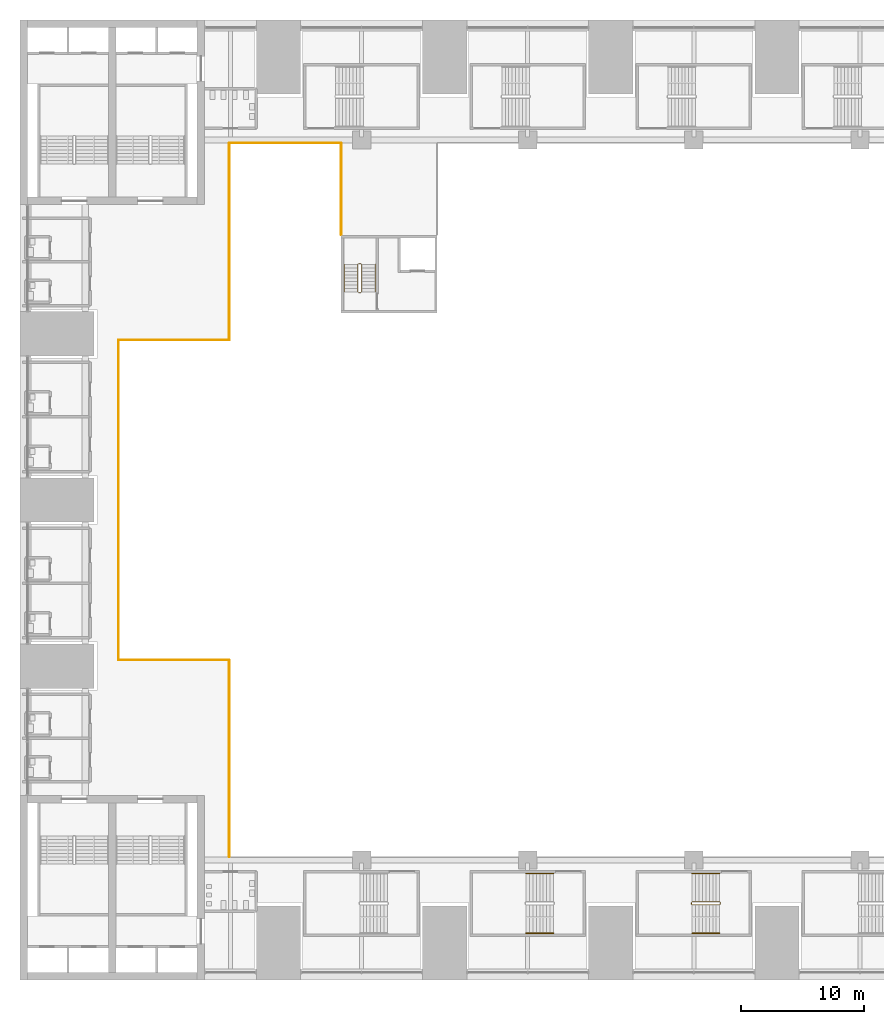
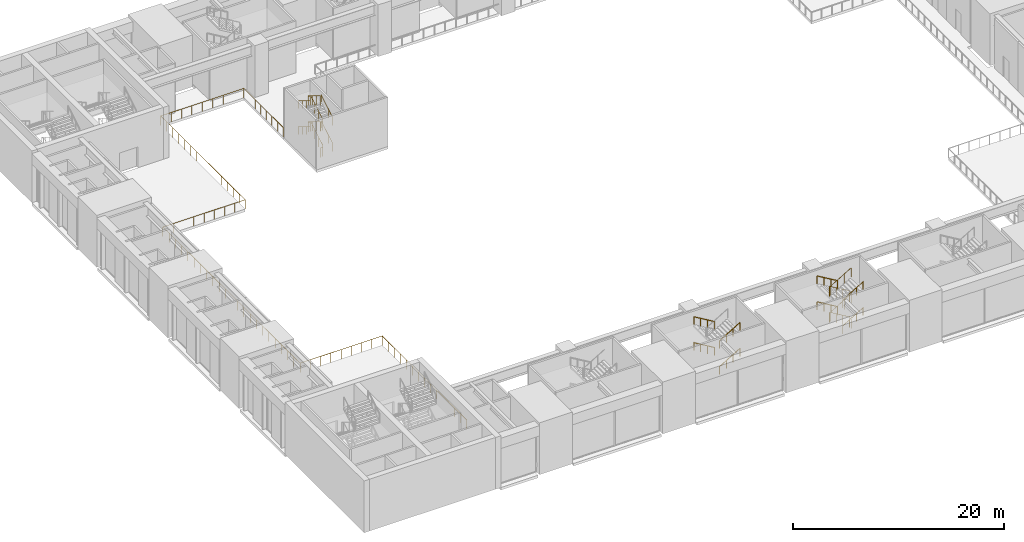
# One storey, part 38 of 43: 5 railings.
"""IFC4 building model written with IfcOpenShell, lengths in metres."""

from ifc_helpers import new_model, si_unit, direction, frame, origin, origin_2d, place, context, subcontext, project, spatial, circle, extrude, material, type_object, element, save


model = new_model("IFC4")

# Units and contexts
model_context = context("Model", 3, precision=1e-05, world=origin(), true_north=direction((0.0, 1.0)))
body_context = subcontext(model_context, "Body", "Model", "MODEL_VIEW")
ifc_project = project(units=[si_unit("LENGTHUNIT", "METRE"), si_unit("AREAUNIT", "SQUARE_METRE"), si_unit("VOLUMEUNIT", "CUBIC_METRE"), si_unit("PLANEANGLEUNIT", "RADIAN"), si_unit("MASSUNIT", "GRAM", prefix="KILO")], contexts=[model_context])

# Site, building, storey
site_placement = place(None, origin())
site = spatial("IfcSite", under=ifc_project, at=site_placement, CompositionType="ELEMENT")
building_placement = place(site_placement, origin())
building = spatial("IfcBuilding", under=site, at=building_placement, Name="Corbelhall Arena Tower", CompositionType="ELEMENT")
storey_placement = place(building_placement, frame((0.0, 0.0, 25.0)))
storey = spatial("IfcBuildingStorey", under=building, at=storey_placement, Name="L03", CompositionType="ELEMENT", Elevation=25.0)

# Railings
ifc_material_1 = material(Name="Stainless steel A4 and laminated glass", Category="steel")
railing_type_1 = type_object("IfcRailingType", Name="AR-GUARD-GLASS", PredefinedType="GUARDRAIL", material=ifc_material_1)
railing_1_placement = place(storey_placement, frame((-31.0, -29.0, 0.0)))
element("IfcRailing", 1, at=railing_1_placement, inside=storey, type_object=railing_type_1, Name="Bowl void guard L03 1", PredefinedType="GUARDRAIL", context=body_context, shape_type="SweptSolid", body=[
    extrude(circle(Radius=0.02392578125, at=origin_2d()), frame((0.0, 0.0, 1.076171875), z_axis=(0.0, 1.0, 0.0), x_axis=(-1.0, 0.0, 0.0)), (0.0, 0.0, 1.0), 16.0),
    extrude(circle(Radius=0.02392578125, at=origin_2d()), frame((0.0, 16.0, 1.076171875), z_axis=(-1.0, 0.0, 0.0), x_axis=(0.0, -1.0, 0.0)), (0.0, 0.0, 1.0), 9.0),
    extrude(circle(Radius=0.02392578125, at=origin_2d()), frame((-9.0, 16.0, 1.076171875), z_axis=(0.0, 1.0, 0.0), x_axis=(-1.0, 0.0, 0.0)), (0.0, 0.0, 1.0), 26.0),
    extrude(circle(Radius=0.02392578125, at=origin_2d()), frame((-9.0, 42.0, 1.076171875), z_axis=(1.0, 0.0, 0.0), x_axis=(0.0, 1.0, 0.0)), (0.0, 0.0, 1.0), 9.0),
    extrude(circle(Radius=0.02392578125, at=origin_2d()), frame((0.0, 42.0, 1.076171875), z_axis=(0.0, 1.0, 0.0), x_axis=(-1.0, 0.0, 0.0)), (0.0, 0.0, 1.0), 16.0),
    extrude(circle(Radius=0.02392578125, at=origin_2d()), frame((0.0, 58.0, 1.076171875), z_axis=(1.0, 0.0, 0.0), x_axis=(0.0, 1.0, 0.0)), (0.0, 0.0, 1.0), 9.10009765625),
    extrude(circle(Radius=0.02392578125, at=origin_2d()), frame((9.10009765625, 58.0, 1.076171875), z_axis=(0.0, -1.0, 0.0), x_axis=(1.0, 0.0, 0.0)), (0.0, 0.0, 1.0), 7.449951171875),
    extrude(circle(Radius=0.02099609375, at=origin_2d()), origin(), (0.0, 0.0, 1.0), 1.052001953125),
    extrude(circle(Radius=0.02099609375, at=origin_2d()), frame((0.0, 1.142822265625, 0.0)), (0.0, 0.0, 1.0), 1.052001953125),
    extrude(circle(Radius=0.02099609375, at=origin_2d()), frame((0.0, 2.28564453125, 0.0)), (0.0, 0.0, 1.0), 1.052001953125),
    extrude(circle(Radius=0.02099609375, at=origin_2d()), frame((0.0, 3.428466796875, 0.0)), (0.0, 0.0, 1.0), 1.052001953125),
    extrude(circle(Radius=0.02099609375, at=origin_2d()), frame((0.0, 4.571533203125, 0.0)), (0.0, 0.0, 1.0), 1.052001953125),
    extrude(circle(Radius=0.02099609375, at=origin_2d()), frame((0.0, 5.71435546875, 0.0)), (0.0, 0.0, 1.0), 1.052001953125),
    extrude(circle(Radius=0.02099609375, at=origin_2d()), frame((0.0, 6.857177734375, 0.0)), (0.0, 0.0, 1.0), 1.052001953125),
    extrude(circle(Radius=0.02099609375, at=origin_2d()), frame((0.0, 8.0, 0.0)), (0.0, 0.0, 1.0), 1.052001953125),
    extrude(circle(Radius=0.02099609375, at=origin_2d()), frame((0.0, 9.142822265625, 0.0)), (0.0, 0.0, 1.0), 1.052001953125),
    extrude(circle(Radius=0.02099609375, at=origin_2d()), frame((0.0, 10.28564453125, 0.0)), (0.0, 0.0, 1.0), 1.052001953125),
    extrude(circle(Radius=0.02099609375, at=origin_2d()), frame((0.0, 11.428466796875, 0.0)), (0.0, 0.0, 1.0), 1.052001953125),
    extrude(circle(Radius=0.02099609375, at=origin_2d()), frame((0.0, 12.571533203125, 0.0)), (0.0, 0.0, 1.0), 1.052001953125),
    extrude(circle(Radius=0.02099609375, at=origin_2d()), frame((0.0, 13.71435546875, 0.0)), (0.0, 0.0, 1.0), 1.052001953125),
    extrude(circle(Radius=0.02099609375, at=origin_2d()), frame((0.0, 14.857177734375, 0.0)), (0.0, 0.0, 1.0), 1.052001953125),
    extrude(circle(Radius=0.02099609375, at=origin_2d()), frame((0.0, 16.0, 0.0)), (0.0, 0.0, 1.0), 1.052001953125),
    extrude(circle(Radius=0.02099609375, at=origin_2d()), frame((-1.125, 16.0, 0.0)), (0.0, 0.0, 1.0), 1.052001953125),
    extrude(circle(Radius=0.02099609375, at=origin_2d()), frame((-2.25, 16.0, 0.0)), (0.0, 0.0, 1.0), 1.052001953125),
    extrude(circle(Radius=0.02099609375, at=origin_2d()), frame((-3.375, 16.0, 0.0)), (0.0, 0.0, 1.0), 1.052001953125),
    extrude(circle(Radius=0.02099609375, at=origin_2d()), frame((-4.5, 16.0, 0.0)), (0.0, 0.0, 1.0), 1.052001953125),
    extrude(circle(Radius=0.02099609375, at=origin_2d()), frame((-5.625, 16.0, 0.0)), (0.0, 0.0, 1.0), 1.052001953125),
    extrude(circle(Radius=0.02099609375, at=origin_2d()), frame((-6.75, 16.0, 0.0)), (0.0, 0.0, 1.0), 1.052001953125),
    extrude(circle(Radius=0.02099609375, at=origin_2d()), frame((-7.875, 16.0, 0.0)), (0.0, 0.0, 1.0), 1.052001953125),
    extrude(circle(Radius=0.02099609375, at=origin_2d()), frame((-9.0, 16.0, 0.0)), (0.0, 0.0, 1.0), 1.052001953125),
    extrude(circle(Radius=0.02099609375, at=origin_2d()), frame((-9.0, 17.181884765625, 0.0)), (0.0, 0.0, 1.0), 1.052001953125),
    extrude(circle(Radius=0.02099609375, at=origin_2d()), frame((-9.0, 18.363525390625, 0.0)), (0.0, 0.0, 1.0), 1.052001953125),
    extrude(circle(Radius=0.02099609375, at=origin_2d()), frame((-9.0, 19.54541015625, 0.0)), (0.0, 0.0, 1.0), 1.052001953125),
    extrude(circle(Radius=0.02099609375, at=origin_2d()), frame((-9.0, 20.727294921875, 0.0)), (0.0, 0.0, 1.0), 1.052001953125),
    extrude(circle(Radius=0.02099609375, at=origin_2d()), frame((-9.0, 21.9091796875, 0.0)), (0.0, 0.0, 1.0), 1.052001953125),
    extrude(circle(Radius=0.02099609375, at=origin_2d()), frame((-9.0, 23.0908203125, 0.0)), (0.0, 0.0, 1.0), 1.052001953125),
    extrude(circle(Radius=0.02099609375, at=origin_2d()), frame((-9.0, 24.272705078125, 0.0)), (0.0, 0.0, 1.0), 1.052001953125),
    extrude(circle(Radius=0.02099609375, at=origin_2d()), frame((-9.0, 25.45458984375, 0.0)), (0.0, 0.0, 1.0), 1.052001953125),
    extrude(circle(Radius=0.02099609375, at=origin_2d()), frame((-9.0, 26.636474609375, 0.0)), (0.0, 0.0, 1.0), 1.052001953125),
    extrude(circle(Radius=0.02099609375, at=origin_2d()), frame((-9.0, 27.818115234375, 0.0)), (0.0, 0.0, 1.0), 1.052001953125),
    extrude(circle(Radius=0.02099609375, at=origin_2d()), frame((-9.0, 29.0, 0.0)), (0.0, 0.0, 1.0), 1.052001953125),
    extrude(circle(Radius=0.02099609375, at=origin_2d()), frame((-9.0, 30.181884765625, 0.0)), (0.0, 0.0, 1.0), 1.052001953125),
    extrude(circle(Radius=0.02099609375, at=origin_2d()), frame((-9.0, 31.363525390625, 0.0)), (0.0, 0.0, 1.0), 1.052001953125),
    extrude(circle(Radius=0.02099609375, at=origin_2d()), frame((-9.0, 32.54541015625, 0.0)), (0.0, 0.0, 1.0), 1.052001953125),
    extrude(circle(Radius=0.02099609375, at=origin_2d()), frame((-9.0, 33.727294921875, 0.0)), (0.0, 0.0, 1.0), 1.052001953125),
    extrude(circle(Radius=0.02099609375, at=origin_2d()), frame((-9.0, 34.9091796875, 0.0)), (0.0, 0.0, 1.0), 1.052001953125),
    extrude(circle(Radius=0.02099609375, at=origin_2d()), frame((-9.0, 36.0908203125, 0.0)), (0.0, 0.0, 1.0), 1.052001953125),
    extrude(circle(Radius=0.02099609375, at=origin_2d()), frame((-9.0, 37.272705078125, 0.0)), (0.0, 0.0, 1.0), 1.052001953125),
    extrude(circle(Radius=0.02099609375, at=origin_2d()), frame((-9.0, 38.45458984375, 0.0)), (0.0, 0.0, 1.0), 1.052001953125),
    extrude(circle(Radius=0.02099609375, at=origin_2d()), frame((-9.0, 39.636474609375, 0.0)), (0.0, 0.0, 1.0), 1.052001953125),
    extrude(circle(Radius=0.02099609375, at=origin_2d()), frame((-9.0, 40.818115234375, 0.0)), (0.0, 0.0, 1.0), 1.052001953125),
    extrude(circle(Radius=0.02099609375, at=origin_2d()), frame((-9.0, 42.0, 0.0)), (0.0, 0.0, 1.0), 1.052001953125),
    extrude(circle(Radius=0.02099609375, at=origin_2d()), frame((-7.875, 42.0, 0.0)), (0.0, 0.0, 1.0), 1.052001953125),
    extrude(circle(Radius=0.02099609375, at=origin_2d()), frame((-6.75, 42.0, 0.0)), (0.0, 0.0, 1.0), 1.052001953125),
    extrude(circle(Radius=0.02099609375, at=origin_2d()), frame((-5.625, 42.0, 0.0)), (0.0, 0.0, 1.0), 1.052001953125),
    extrude(circle(Radius=0.02099609375, at=origin_2d()), frame((-4.5, 42.0, 0.0)), (0.0, 0.0, 1.0), 1.052001953125),
    extrude(circle(Radius=0.02099609375, at=origin_2d()), frame((-3.375, 42.0, 0.0)), (0.0, 0.0, 1.0), 1.052001953125),
    extrude(circle(Radius=0.02099609375, at=origin_2d()), frame((-2.25, 42.0, 0.0)), (0.0, 0.0, 1.0), 1.052001953125),
    extrude(circle(Radius=0.02099609375, at=origin_2d()), frame((-1.125, 42.0, 0.0)), (0.0, 0.0, 1.0), 1.052001953125),
    extrude(circle(Radius=0.02099609375, at=origin_2d()), frame((0.0, 42.0, 0.0)), (0.0, 0.0, 1.0), 1.052001953125),
    extrude(circle(Radius=0.02099609375, at=origin_2d()), frame((0.0, 43.142822265625, 0.0)), (0.0, 0.0, 1.0), 1.052001953125),
    extrude(circle(Radius=0.02099609375, at=origin_2d()), frame((0.0, 44.28564453125, 0.0)), (0.0, 0.0, 1.0), 1.052001953125),
    extrude(circle(Radius=0.02099609375, at=origin_2d()), frame((0.0, 45.428466796875, 0.0)), (0.0, 0.0, 1.0), 1.052001953125),
    extrude(circle(Radius=0.02099609375, at=origin_2d()), frame((0.0, 46.571533203125, 0.0)), (0.0, 0.0, 1.0), 1.052001953125),
    extrude(circle(Radius=0.02099609375, at=origin_2d()), frame((0.0, 47.71435546875, 0.0)), (0.0, 0.0, 1.0), 1.052001953125),
    extrude(circle(Radius=0.02099609375, at=origin_2d()), frame((0.0, 48.857177734375, 0.0)), (0.0, 0.0, 1.0), 1.052001953125),
    extrude(circle(Radius=0.02099609375, at=origin_2d()), frame((0.0, 50.0, 0.0)), (0.0, 0.0, 1.0), 1.052001953125),
    extrude(circle(Radius=0.02099609375, at=origin_2d()), frame((0.0, 51.142822265625, 0.0)), (0.0, 0.0, 1.0), 1.052001953125),
    extrude(circle(Radius=0.02099609375, at=origin_2d()), frame((0.0, 52.28564453125, 0.0)), (0.0, 0.0, 1.0), 1.052001953125),
    extrude(circle(Radius=0.02099609375, at=origin_2d()), frame((0.0, 53.428466796875, 0.0)), (0.0, 0.0, 1.0), 1.052001953125),
    extrude(circle(Radius=0.02099609375, at=origin_2d()), frame((0.0, 54.571533203125, 0.0)), (0.0, 0.0, 1.0), 1.052001953125),
    extrude(circle(Radius=0.02099609375, at=origin_2d()), frame((0.0, 55.71435546875, 0.0)), (0.0, 0.0, 1.0), 1.052001953125),
    extrude(circle(Radius=0.02099609375, at=origin_2d()), frame((0.0, 56.857177734375, 0.0)), (0.0, 0.0, 1.0), 1.052001953125),
    extrude(circle(Radius=0.02099609375, at=origin_2d()), frame((0.0, 58.0, 0.0)), (0.0, 0.0, 1.0), 1.052001953125),
    extrude(circle(Radius=0.02099609375, at=origin_2d()), frame((1.137451171875, 58.0, 0.0)), (0.0, 0.0, 1.0), 1.052001953125),
    extrude(circle(Radius=0.02099609375, at=origin_2d()), frame((2.27490234375, 58.0, 0.0)), (0.0, 0.0, 1.0), 1.052001953125),
    extrude(circle(Radius=0.02099609375, at=origin_2d()), frame((3.41259765625, 58.0, 0.0)), (0.0, 0.0, 1.0), 1.052001953125),
    extrude(circle(Radius=0.02099609375, at=origin_2d()), frame((4.550048828125, 58.0, 0.0)), (0.0, 0.0, 1.0), 1.052001953125),
    extrude(circle(Radius=0.02099609375, at=origin_2d()), frame((5.6875, 58.0, 0.0)), (0.0, 0.0, 1.0), 1.052001953125),
    extrude(circle(Radius=0.02099609375, at=origin_2d()), frame((6.8251953125, 58.0, 0.0)), (0.0, 0.0, 1.0), 1.052001953125),
    extrude(circle(Radius=0.02099609375, at=origin_2d()), frame((7.962646484375, 58.0, 0.0)), (0.0, 0.0, 1.0), 1.052001953125),
    extrude(circle(Radius=0.02099609375, at=origin_2d()), frame((9.10009765625, 58.0, 0.0)), (0.0, 0.0, 1.0), 1.052001953125),
    extrude(circle(Radius=0.02099609375, at=origin_2d()), frame((9.10009765625, 56.935791015625, 0.0)), (0.0, 0.0, 1.0), 1.052001953125),
    extrude(circle(Radius=0.02099609375, at=origin_2d()), frame((9.10009765625, 55.871337890625, 0.0)), (0.0, 0.0, 1.0), 1.052001953125),
    extrude(circle(Radius=0.02099609375, at=origin_2d()), frame((9.10009765625, 54.80712890625, 0.0)), (0.0, 0.0, 1.0), 1.052001953125),
    extrude(circle(Radius=0.02099609375, at=origin_2d()), frame((9.10009765625, 53.742919921875, 0.0)), (0.0, 0.0, 1.0), 1.052001953125),
    extrude(circle(Radius=0.02099609375, at=origin_2d()), frame((9.10009765625, 52.6787109375, 0.0)), (0.0, 0.0, 1.0), 1.052001953125),
    extrude(circle(Radius=0.02099609375, at=origin_2d()), frame((9.10009765625, 51.6142578125, 0.0)), (0.0, 0.0, 1.0), 1.052001953125),
    extrude(circle(Radius=0.02099609375, at=origin_2d()), frame((9.10009765625, 50.550048828125, 0.0)), (0.0, 0.0, 1.0), 1.052001953125),
])
ifc_material_2 = material(Name="Stainless steel A4", Category="steel")
railing_type_2 = type_object("IfcRailingType", Name="AR-STAIR-GUARD", PredefinedType="GUARDRAIL", material=ifc_material_2)
railing_2_placement = place(storey_placement, frame((8.85009765625, -32.64990234375, 0.166748046875)))
element("IfcRailing", 2, at=railing_2_placement, inside=storey, type_object=railing_type_2, Name="L03 AS15 stair guards", PredefinedType="GUARDRAIL", context=body_context, shape_type="SweptSolid", body=[
    extrude(circle(Radius=0.02392578125, at=origin_2d()), frame((0.0, 0.0, 1.076171875), z_axis=(-0.859305625298, 0.0, 0.511462454469), x_axis=(0.0, -1.0, 0.0)), (0.0, 0.0, 1.0), 2.606689453125),
    extrude(circle(Radius=0.02392578125, at=origin_2d()), frame((-2.2900390625, -0.050048828125, 2.4091796875), z_axis=(0.0, -1.0, 0.0), x_axis=(1.0, 0.0, 0.0)), (0.0, 0.0, 1.0), 0.150146484375),
    extrude(circle(Radius=0.02392578125, at=origin_2d()), frame((-2.239990234375, -0.25, 2.576171875), z_axis=(0.859305625298, 0.0, 0.511462454469), x_axis=(0.0, 1.0, 0.0)), (0.0, 0.0, 1.0), 2.606689453125),
    extrude(circle(Radius=0.02392578125, at=origin_2d()), frame((0.0498046875, -0.050048828125, 3.9091796875), z_axis=(0.0, -1.0, 0.0), x_axis=(1.0, 0.0, 0.0)), (0.0, 0.0, 1.0), 0.150146484375),
    extrude(circle(Radius=0.02392578125, at=origin_2d()), frame((0.0, 0.0, 4.076171875), z_axis=(-0.859305625298, 0.0, 0.511462454469), x_axis=(0.0, -1.0, 0.0)), (0.0, 0.0, 1.0), 2.606689453125),
    extrude(circle(Radius=0.02392578125, at=origin_2d()), frame((-2.2900390625, -0.050048828125, 5.4091796875), z_axis=(0.0, -1.0, 0.0), x_axis=(1.0, 0.0, 0.0)), (0.0, 0.0, 1.0), 0.150146484375),
    extrude(circle(Radius=0.02392578125, at=origin_2d()), frame((-2.239990234375, -0.25, 5.576171875), z_axis=(0.859305625298, 0.0, 0.511462454469), x_axis=(0.0, 1.0, 0.0)), (0.0, 0.0, 1.0), 2.606689453125),
    extrude(circle(Radius=0.02392578125, at=origin_2d()), frame((0.0498046875, -0.050048828125, 0.9091796875), z_axis=(0.0, -1.0, 0.0), x_axis=(1.0, 0.0, 0.0)), (0.0, 0.0, 1.0), 0.150146484375),
    extrude(circle(Radius=0.02099609375, at=origin_2d()), origin(), (0.0, 0.0, 1.0), 1.052001953125),
    extrude(circle(Radius=0.02099609375, at=origin_2d()), frame((-0.74658203125, 0.0, 0.4443359375)), (0.0, 0.0, 1.0), 1.052001953125),
    extrude(circle(Radius=0.02099609375, at=origin_2d()), frame((-1.493408203125, 0.0, 0.888916015625)), (0.0, 0.0, 1.0), 1.052001953125),
    extrude(circle(Radius=0.02099609375, at=origin_2d()), frame((-2.239990234375, 0.0, 1.333251953125)), (0.0, 0.0, 1.0), 1.052001953125),
    extrude(circle(Radius=0.02099609375, at=origin_2d()), frame((-2.2900390625, -0.050048828125, 1.333251953125)), (0.0, 0.0, 1.0), 1.052001953125),
    extrude(circle(Radius=0.02099609375, at=origin_2d()), frame((-2.2900390625, -0.2001953125, 1.333251953125)), (0.0, 0.0, 1.0), 1.052001953125),
    extrude(circle(Radius=0.02099609375, at=origin_2d()), frame((-2.239990234375, -0.25, 1.5)), (0.0, 0.0, 1.0), 1.052001953125),
    extrude(circle(Radius=0.02099609375, at=origin_2d()), frame((-1.493408203125, -0.25, 1.9443359375)), (0.0, 0.0, 1.0), 1.052001953125),
    extrude(circle(Radius=0.02099609375, at=origin_2d()), frame((-0.74658203125, -0.25, 2.388916015625)), (0.0, 0.0, 1.0), 1.052001953125),
    extrude(circle(Radius=0.02099609375, at=origin_2d()), frame((0.0, -0.25, 2.833251953125)), (0.0, 0.0, 1.0), 1.052001953125),
    extrude(circle(Radius=0.02099609375, at=origin_2d()), frame((0.0498046875, -0.050048828125, 2.833251953125)), (0.0, 0.0, 1.0), 1.052001953125),
    extrude(circle(Radius=0.02099609375, at=origin_2d()), frame((0.0498046875, -0.2001953125, 2.833251953125)), (0.0, 0.0, 1.0), 1.052001953125),
    extrude(circle(Radius=0.02099609375, at=origin_2d()), frame((0.0, 0.0, 3.0)), (0.0, 0.0, 1.0), 1.052001953125),
    extrude(circle(Radius=0.02099609375, at=origin_2d()), frame((-0.74658203125, 0.0, 3.4443359375)), (0.0, 0.0, 1.0), 1.052001953125),
    extrude(circle(Radius=0.02099609375, at=origin_2d()), frame((-1.493408203125, 0.0, 3.888916015625)), (0.0, 0.0, 1.0), 1.052001953125),
    extrude(circle(Radius=0.02099609375, at=origin_2d()), frame((-2.239990234375, 0.0, 4.333251953125)), (0.0, 0.0, 1.0), 1.052001953125),
    extrude(circle(Radius=0.02099609375, at=origin_2d()), frame((-2.2900390625, -0.050048828125, 4.333251953125)), (0.0, 0.0, 1.0), 1.052001953125),
    extrude(circle(Radius=0.02099609375, at=origin_2d()), frame((-2.2900390625, -0.2001953125, 4.333251953125)), (0.0, 0.0, 1.0), 1.052001953125),
    extrude(circle(Radius=0.02099609375, at=origin_2d()), frame((-2.239990234375, -0.25, 4.5)), (0.0, 0.0, 1.0), 1.052001953125),
    extrude(circle(Radius=0.02099609375, at=origin_2d()), frame((-1.493408203125, -0.25, 4.9443359375)), (0.0, 0.0, 1.0), 1.052001953125),
    extrude(circle(Radius=0.02099609375, at=origin_2d()), frame((-0.74658203125, -0.25, 5.388916015625)), (0.0, 0.0, 1.0), 1.052001953125),
    extrude(circle(Radius=0.02099609375, at=origin_2d()), frame((0.0, -0.25, 5.833251953125)), (0.0, 0.0, 1.0), 1.052001953125),
    extrude(circle(Radius=0.02099609375, at=origin_2d()), frame((0.0498046875, -0.050048828125, -0.166748046875)), (0.0, 0.0, 1.0), 1.052001953125),
    extrude(circle(Radius=0.02099609375, at=origin_2d()), frame((0.0498046875, -0.2001953125, -0.166748046875)), (0.0, 0.0, 1.0), 1.052001953125),
])
railing_type_3 = type_object("IfcRailingType", Name="AR-STAIR-HANDRAIL", PredefinedType="HANDRAIL", material=ifc_material_2)
railing_3_placement = place(storey_placement, frame((-4.64990234375, -30.35009765625, 0.166748046875)))
element("IfcRailing", 3, at=railing_3_placement, inside=storey, type_object=railing_type_3, Name="L03 AS14 stair handrails", PredefinedType="HANDRAIL", context=body_context, shape_type="SweptSolid", body=[
    extrude(circle(Radius=0.02392578125, at=origin_2d()), frame((0.0, 0.0, 0.8759765625), z_axis=(-0.859305625298, 0.0, 0.511462454469), x_axis=(0.0, -1.0, 0.0)), (0.0, 0.0, 1.0), 2.606689453125),
    extrude(circle(Radius=0.02392578125, at=origin_2d()), frame((-2.239990234375, -4.849853515625, 2.3759765625), z_axis=(0.859305625298, 0.0, 0.511462454469), x_axis=(0.0, 1.0, 0.0)), (0.0, 0.0, 1.0), 2.606689453125),
    extrude(circle(Radius=0.02392578125, at=origin_2d()), frame((0.0, 0.0, 3.8759765625), z_axis=(-0.859305625298, 0.0, 0.511462454469), x_axis=(0.0, -1.0, 0.0)), (0.0, 0.0, 1.0), 2.606689453125),
    extrude(circle(Radius=0.02392578125, at=origin_2d()), frame((-2.239990234375, -4.849853515625, 5.3759765625), z_axis=(0.859305625298, 0.0, 0.511462454469), x_axis=(0.0, 1.0, 0.0)), (0.0, 0.0, 1.0), 2.606689453125),
    extrude(circle(Radius=0.02099609375, at=origin_2d()), origin(), (0.0, 0.0, 1.0), 0.851806640625),
    extrude(circle(Radius=0.02099609375, at=origin_2d()), frame((-0.74658203125, 0.0, 0.4443359375)), (0.0, 0.0, 1.0), 0.851806640625),
    extrude(circle(Radius=0.02099609375, at=origin_2d()), frame((-1.493408203125, 0.0, 0.888916015625)), (0.0, 0.0, 1.0), 0.851806640625),
    extrude(circle(Radius=0.02099609375, at=origin_2d()), frame((-2.239990234375, 0.0, 1.333251953125)), (0.0, 0.0, 1.0), 0.851806640625),
    extrude(circle(Radius=0.02099609375, at=origin_2d()), frame((-2.239990234375, -4.849853515625, 1.5)), (0.0, 0.0, 1.0), 0.851806640625),
    extrude(circle(Radius=0.02099609375, at=origin_2d()), frame((-1.493408203125, -4.849853515625, 1.9443359375)), (0.0, 0.0, 1.0), 0.851806640625),
    extrude(circle(Radius=0.02099609375, at=origin_2d()), frame((-0.74658203125, -4.849853515625, 2.388916015625)), (0.0, 0.0, 1.0), 0.851806640625),
    extrude(circle(Radius=0.02099609375, at=origin_2d()), frame((0.0, -4.849853515625, 2.833251953125)), (0.0, 0.0, 1.0), 0.851806640625),
    extrude(circle(Radius=0.02099609375, at=origin_2d()), frame((0.0, 0.0, 3.0)), (0.0, 0.0, 1.0), 0.851806640625),
    extrude(circle(Radius=0.02099609375, at=origin_2d()), frame((-0.74658203125, 0.0, 3.4443359375)), (0.0, 0.0, 1.0), 0.851806640625),
    extrude(circle(Radius=0.02099609375, at=origin_2d()), frame((-1.493408203125, 0.0, 3.888916015625)), (0.0, 0.0, 1.0), 0.851806640625),
    extrude(circle(Radius=0.02099609375, at=origin_2d()), frame((-2.239990234375, 0.0, 4.333251953125)), (0.0, 0.0, 1.0), 0.851806640625),
    extrude(circle(Radius=0.02099609375, at=origin_2d()), frame((-2.239990234375, -4.849853515625, 4.5)), (0.0, 0.0, 1.0), 0.851806640625),
    extrude(circle(Radius=0.02099609375, at=origin_2d()), frame((-1.493408203125, -4.849853515625, 4.9443359375)), (0.0, 0.0, 1.0), 0.851806640625),
    extrude(circle(Radius=0.02099609375, at=origin_2d()), frame((-0.74658203125, -4.849853515625, 5.388916015625)), (0.0, 0.0, 1.0), 0.851806640625),
    extrude(circle(Radius=0.02099609375, at=origin_2d()), frame((0.0, -4.849853515625, 5.833251953125)), (0.0, 0.0, 1.0), 0.851806640625),
])
railing_4_placement = place(storey_placement, frame((8.85009765625, -30.35009765625, 0.166748046875)))
element("IfcRailing", 4, at=railing_4_placement, inside=storey, type_object=railing_type_3, Name="L03 AS15 stair handrails", PredefinedType="HANDRAIL", context=body_context, shape_type="SweptSolid", body=[
    extrude(circle(Radius=0.02392578125, at=origin_2d()), frame((0.0, 0.0, 0.8759765625), z_axis=(-0.859305625298, 0.0, 0.511462454469), x_axis=(0.0, -1.0, 0.0)), (0.0, 0.0, 1.0), 2.606689453125),
    extrude(circle(Radius=0.02392578125, at=origin_2d()), frame((-2.239990234375, -4.849853515625, 2.3759765625), z_axis=(0.859305625298, 0.0, 0.511462454469), x_axis=(0.0, 1.0, 0.0)), (0.0, 0.0, 1.0), 2.606689453125),
    extrude(circle(Radius=0.02392578125, at=origin_2d()), frame((0.0, 0.0, 3.8759765625), z_axis=(-0.859305625298, 0.0, 0.511462454469), x_axis=(0.0, -1.0, 0.0)), (0.0, 0.0, 1.0), 2.606689453125),
    extrude(circle(Radius=0.02392578125, at=origin_2d()), frame((-2.239990234375, -4.849853515625, 5.3759765625), z_axis=(0.859305625298, 0.0, 0.511462454469), x_axis=(0.0, 1.0, 0.0)), (0.0, 0.0, 1.0), 2.606689453125),
    extrude(circle(Radius=0.02099609375, at=origin_2d()), origin(), (0.0, 0.0, 1.0), 0.851806640625),
    extrude(circle(Radius=0.02099609375, at=origin_2d()), frame((-0.74658203125, 0.0, 0.4443359375)), (0.0, 0.0, 1.0), 0.851806640625),
    extrude(circle(Radius=0.02099609375, at=origin_2d()), frame((-1.493408203125, 0.0, 0.888916015625)), (0.0, 0.0, 1.0), 0.851806640625),
    extrude(circle(Radius=0.02099609375, at=origin_2d()), frame((-2.239990234375, 0.0, 1.333251953125)), (0.0, 0.0, 1.0), 0.851806640625),
    extrude(circle(Radius=0.02099609375, at=origin_2d()), frame((-2.239990234375, -4.849853515625, 1.5)), (0.0, 0.0, 1.0), 0.851806640625),
    extrude(circle(Radius=0.02099609375, at=origin_2d()), frame((-1.493408203125, -4.849853515625, 1.9443359375)), (0.0, 0.0, 1.0), 0.851806640625),
    extrude(circle(Radius=0.02099609375, at=origin_2d()), frame((-0.74658203125, -4.849853515625, 2.388916015625)), (0.0, 0.0, 1.0), 0.851806640625),
    extrude(circle(Radius=0.02099609375, at=origin_2d()), frame((0.0, -4.849853515625, 2.833251953125)), (0.0, 0.0, 1.0), 0.851806640625),
    extrude(circle(Radius=0.02099609375, at=origin_2d()), frame((0.0, 0.0, 3.0)), (0.0, 0.0, 1.0), 0.851806640625),
    extrude(circle(Radius=0.02099609375, at=origin_2d()), frame((-0.74658203125, 0.0, 3.4443359375)), (0.0, 0.0, 1.0), 0.851806640625),
    extrude(circle(Radius=0.02099609375, at=origin_2d()), frame((-1.493408203125, 0.0, 3.888916015625)), (0.0, 0.0, 1.0), 0.851806640625),
    extrude(circle(Radius=0.02099609375, at=origin_2d()), frame((-2.239990234375, 0.0, 4.333251953125)), (0.0, 0.0, 1.0), 0.851806640625),
    extrude(circle(Radius=0.02099609375, at=origin_2d()), frame((-2.239990234375, -4.849853515625, 4.5)), (0.0, 0.0, 1.0), 0.851806640625),
    extrude(circle(Radius=0.02099609375, at=origin_2d()), frame((-1.493408203125, -4.849853515625, 4.9443359375)), (0.0, 0.0, 1.0), 0.851806640625),
    extrude(circle(Radius=0.02099609375, at=origin_2d()), frame((-0.74658203125, -4.849853515625, 5.388916015625)), (0.0, 0.0, 1.0), 0.851806640625),
    extrude(circle(Radius=0.02099609375, at=origin_2d()), frame((0.0, -4.849853515625, 5.833251953125)), (0.0, 0.0, 1.0), 0.851806640625),
])
ifc_material_3 = material(Name="Steel ASTM A500 Gr C", Category="steel")
railing_type_4 = type_object("IfcRailingType", Name="IN-GD-1100", PredefinedType="GUARDRAIL", material=ifc_material_3)
railing_5_placement = place(storey_placement, frame((-20.2451171875, 16.89990234375, 0.166748046875)))
element("IfcRailing", 5, at=railing_5_placement, inside=storey, type_object=railing_type_4, Name="L03 AS17 stair guards and handrails", PredefinedType="GUARDRAIL", context=body_context, shape_type="SweptSolid", body=[
    extrude(circle(Radius=0.02392578125, at=origin_2d()), frame((0.0, 0.0, 1.076171875), z_axis=(0.0, 0.859305625298, 0.511462454469), x_axis=(-1.0, 0.0, 0.0)), (0.0, 0.0, 1.0), 2.606689453125),
    extrude(circle(Radius=0.02392578125, at=origin_2d()), frame((-0.0498046875, 2.2900390625, 2.4091796875), z_axis=(-1.0, 0.0, 0.0), x_axis=(0.0, -1.0, 0.0)), (0.0, 0.0, 1.0), 0.2001953125),
    extrude(circle(Radius=0.02392578125, at=origin_2d()), frame((-0.2998046875, 2.239990234375, 2.576171875), z_axis=(0.0, -0.859305625298, 0.511462454469), x_axis=(1.0, 0.0, 0.0)), (0.0, 0.0, 1.0), 2.606689453125),
    extrude(circle(Radius=0.02392578125, at=origin_2d()), frame((-0.0498046875, -0.0498046875, 3.9091796875), z_axis=(-1.0, 0.0, 0.0), x_axis=(0.0, -1.0, 0.0)), (0.0, 0.0, 1.0), 0.2001953125),
    extrude(circle(Radius=0.02392578125, at=origin_2d()), frame((0.0, 0.0, 4.076171875), z_axis=(0.0, 0.859305625298, 0.511462454469), x_axis=(-1.0, 0.0, 0.0)), (0.0, 0.0, 1.0), 2.606689453125),
    extrude(circle(Radius=0.02392578125, at=origin_2d()), frame((-0.0498046875, 2.2900390625, 5.4091796875), z_axis=(-1.0, 0.0, 0.0), x_axis=(0.0, -1.0, 0.0)), (0.0, 0.0, 1.0), 0.2001953125),
    extrude(circle(Radius=0.02392578125, at=origin_2d()), frame((-0.2998046875, 2.239990234375, 5.576171875), z_axis=(0.0, -0.859305625298, 0.511462454469), x_axis=(1.0, 0.0, 0.0)), (0.0, 0.0, 1.0), 2.606689453125),
    extrude(circle(Radius=0.02392578125, at=origin_2d()), frame((-0.0498046875, -0.0498046875, 0.9091796875), z_axis=(-1.0, 0.0, 0.0), x_axis=(0.0, -1.0, 0.0)), (0.0, 0.0, 1.0), 0.2001953125),
    extrude(circle(Radius=0.02392578125, at=origin_2d()), frame((1.10009765625, 0.0, 0.8759765625), z_axis=(0.0, 0.859305625298, 0.511462454469), x_axis=(-1.0, 0.0, 0.0)), (0.0, 0.0, 1.0), 2.606689453125),
    extrude(circle(Radius=0.02392578125, at=origin_2d()), frame((-1.39990234375, 2.239990234375, 2.3759765625), z_axis=(0.0, -0.859305625298, 0.511462454469), x_axis=(1.0, 0.0, 0.0)), (0.0, 0.0, 1.0), 2.606689453125),
    extrude(circle(Radius=0.02392578125, at=origin_2d()), frame((1.10009765625, 0.0, 3.8759765625), z_axis=(0.0, 0.859305625298, 0.511462454469), x_axis=(-1.0, 0.0, 0.0)), (0.0, 0.0, 1.0), 2.606689453125),
    extrude(circle(Radius=0.02392578125, at=origin_2d()), frame((-1.39990234375, 2.239990234375, 5.3759765625), z_axis=(0.0, -0.859305625298, 0.511462454469), x_axis=(1.0, 0.0, 0.0)), (0.0, 0.0, 1.0), 2.606689453125),
    extrude(circle(Radius=0.02099609375, at=origin_2d()), origin(), (0.0, 0.0, 1.0), 1.052001953125),
    extrude(circle(Radius=0.02099609375, at=origin_2d()), frame((0.0, 0.74658203125, 0.4443359375)), (0.0, 0.0, 1.0), 1.052001953125),
    extrude(circle(Radius=0.02099609375, at=origin_2d()), frame((0.0, 1.493408203125, 0.888916015625)), (0.0, 0.0, 1.0), 1.052001953125),
    extrude(circle(Radius=0.02099609375, at=origin_2d()), frame((0.0, 2.239990234375, 1.333251953125)), (0.0, 0.0, 1.0), 1.052001953125),
    extrude(circle(Radius=0.02099609375, at=origin_2d()), frame((-0.0498046875, 2.2900390625, 1.333251953125)), (0.0, 0.0, 1.0), 1.052001953125),
    extrude(circle(Radius=0.02099609375, at=origin_2d()), frame((-0.25, 2.2900390625, 1.333251953125)), (0.0, 0.0, 1.0), 1.052001953125),
    extrude(circle(Radius=0.02099609375, at=origin_2d()), frame((-0.2998046875, 2.239990234375, 1.5)), (0.0, 0.0, 1.0), 1.052001953125),
    extrude(circle(Radius=0.02099609375, at=origin_2d()), frame((-0.2998046875, 1.493408203125, 1.9443359375)), (0.0, 0.0, 1.0), 1.052001953125),
    extrude(circle(Radius=0.02099609375, at=origin_2d()), frame((-0.2998046875, 0.74658203125, 2.388916015625)), (0.0, 0.0, 1.0), 1.052001953125),
    extrude(circle(Radius=0.02099609375, at=origin_2d()), frame((-0.2998046875, 0.0, 2.833251953125)), (0.0, 0.0, 1.0), 1.052001953125),
    extrude(circle(Radius=0.02099609375, at=origin_2d()), frame((-0.0498046875, -0.0498046875, 2.833251953125)), (0.0, 0.0, 1.0), 1.052001953125),
    extrude(circle(Radius=0.02099609375, at=origin_2d()), frame((-0.25, -0.0498046875, 2.833251953125)), (0.0, 0.0, 1.0), 1.052001953125),
    extrude(circle(Radius=0.02099609375, at=origin_2d()), frame((0.0, 0.0, 3.0)), (0.0, 0.0, 1.0), 1.052001953125),
    extrude(circle(Radius=0.02099609375, at=origin_2d()), frame((0.0, 0.74658203125, 3.4443359375)), (0.0, 0.0, 1.0), 1.052001953125),
    extrude(circle(Radius=0.02099609375, at=origin_2d()), frame((0.0, 1.493408203125, 3.888916015625)), (0.0, 0.0, 1.0), 1.052001953125),
    extrude(circle(Radius=0.02099609375, at=origin_2d()), frame((0.0, 2.239990234375, 4.333251953125)), (0.0, 0.0, 1.0), 1.052001953125),
    extrude(circle(Radius=0.02099609375, at=origin_2d()), frame((-0.0498046875, 2.2900390625, 4.333251953125)), (0.0, 0.0, 1.0), 1.052001953125),
    extrude(circle(Radius=0.02099609375, at=origin_2d()), frame((-0.25, 2.2900390625, 4.333251953125)), (0.0, 0.0, 1.0), 1.052001953125),
    extrude(circle(Radius=0.02099609375, at=origin_2d()), frame((-0.2998046875, 2.239990234375, 4.5)), (0.0, 0.0, 1.0), 1.052001953125),
    extrude(circle(Radius=0.02099609375, at=origin_2d()), frame((-0.2998046875, 1.493408203125, 4.9443359375)), (0.0, 0.0, 1.0), 1.052001953125),
    extrude(circle(Radius=0.02099609375, at=origin_2d()), frame((-0.2998046875, 0.74658203125, 5.388916015625)), (0.0, 0.0, 1.0), 1.052001953125),
    extrude(circle(Radius=0.02099609375, at=origin_2d()), frame((-0.2998046875, 0.0, 5.833251953125)), (0.0, 0.0, 1.0), 1.052001953125),
    extrude(circle(Radius=0.02099609375, at=origin_2d()), frame((-0.0498046875, -0.0498046875, -0.166748046875)), (0.0, 0.0, 1.0), 1.052001953125),
    extrude(circle(Radius=0.02099609375, at=origin_2d()), frame((-0.25, -0.0498046875, -0.166748046875)), (0.0, 0.0, 1.0), 1.052001953125),
    extrude(circle(Radius=0.02099609375, at=origin_2d()), frame((1.10009765625, 0.0, 0.0)), (0.0, 0.0, 1.0), 0.851806640625),
    extrude(circle(Radius=0.02099609375, at=origin_2d()), frame((1.10009765625, 0.74658203125, 0.4443359375)), (0.0, 0.0, 1.0), 0.851806640625),
    extrude(circle(Radius=0.02099609375, at=origin_2d()), frame((1.10009765625, 1.493408203125, 0.888916015625)), (0.0, 0.0, 1.0), 0.851806640625),
    extrude(circle(Radius=0.02099609375, at=origin_2d()), frame((1.10009765625, 2.239990234375, 1.333251953125)), (0.0, 0.0, 1.0), 0.851806640625),
    extrude(circle(Radius=0.02099609375, at=origin_2d()), frame((-1.39990234375, 2.239990234375, 1.5)), (0.0, 0.0, 1.0), 0.851806640625),
    extrude(circle(Radius=0.02099609375, at=origin_2d()), frame((-1.39990234375, 1.493408203125, 1.9443359375)), (0.0, 0.0, 1.0), 0.851806640625),
    extrude(circle(Radius=0.02099609375, at=origin_2d()), frame((-1.39990234375, 0.74658203125, 2.388916015625)), (0.0, 0.0, 1.0), 0.851806640625),
    extrude(circle(Radius=0.02099609375, at=origin_2d()), frame((-1.39990234375, 0.0, 2.833251953125)), (0.0, 0.0, 1.0), 0.851806640625),
    extrude(circle(Radius=0.02099609375, at=origin_2d()), frame((1.10009765625, 0.0, 3.0)), (0.0, 0.0, 1.0), 0.851806640625),
    extrude(circle(Radius=0.02099609375, at=origin_2d()), frame((1.10009765625, 0.74658203125, 3.4443359375)), (0.0, 0.0, 1.0), 0.851806640625),
    extrude(circle(Radius=0.02099609375, at=origin_2d()), frame((1.10009765625, 1.493408203125, 3.888916015625)), (0.0, 0.0, 1.0), 0.851806640625),
    extrude(circle(Radius=0.02099609375, at=origin_2d()), frame((1.10009765625, 2.239990234375, 4.333251953125)), (0.0, 0.0, 1.0), 0.851806640625),
    extrude(circle(Radius=0.02099609375, at=origin_2d()), frame((-1.39990234375, 2.239990234375, 4.5)), (0.0, 0.0, 1.0), 0.851806640625),
    extrude(circle(Radius=0.02099609375, at=origin_2d()), frame((-1.39990234375, 1.493408203125, 4.9443359375)), (0.0, 0.0, 1.0), 0.851806640625),
    extrude(circle(Radius=0.02099609375, at=origin_2d()), frame((-1.39990234375, 0.74658203125, 5.388916015625)), (0.0, 0.0, 1.0), 0.851806640625),
    extrude(circle(Radius=0.02099609375, at=origin_2d()), frame((-1.39990234375, 0.0, 5.833251953125)), (0.0, 0.0, 1.0), 0.851806640625),
])

save(model, "model.ifc")
